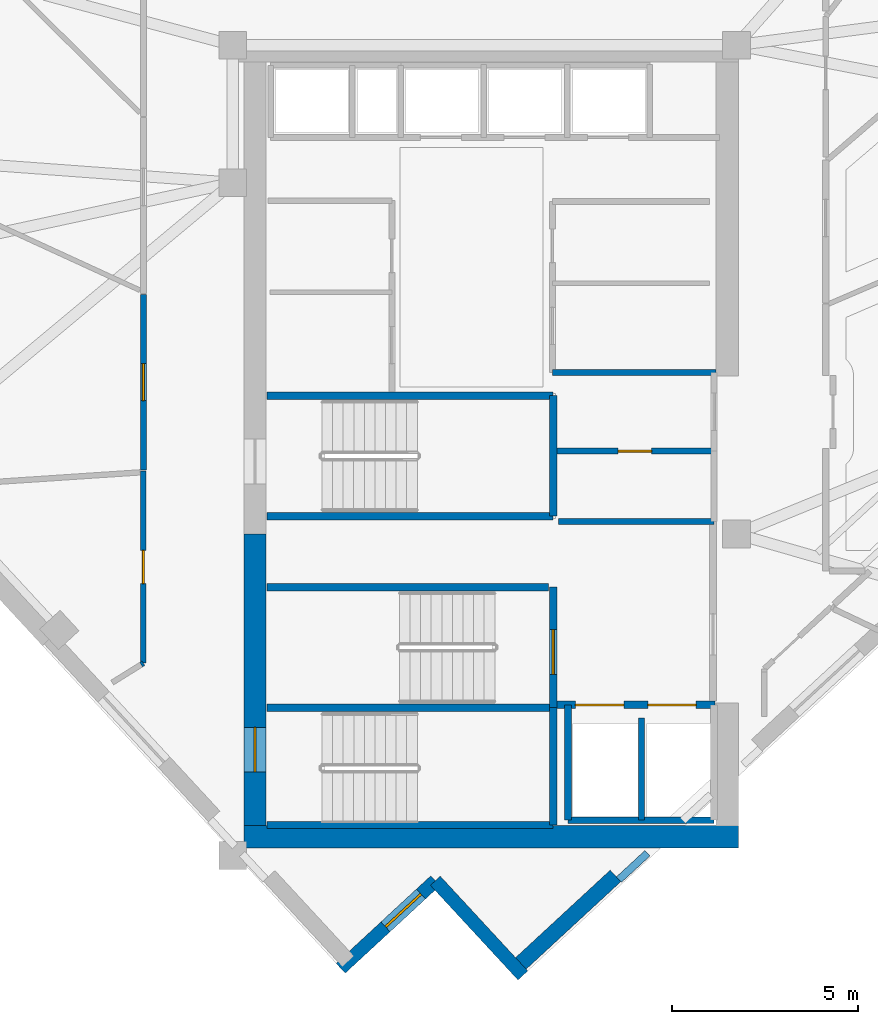
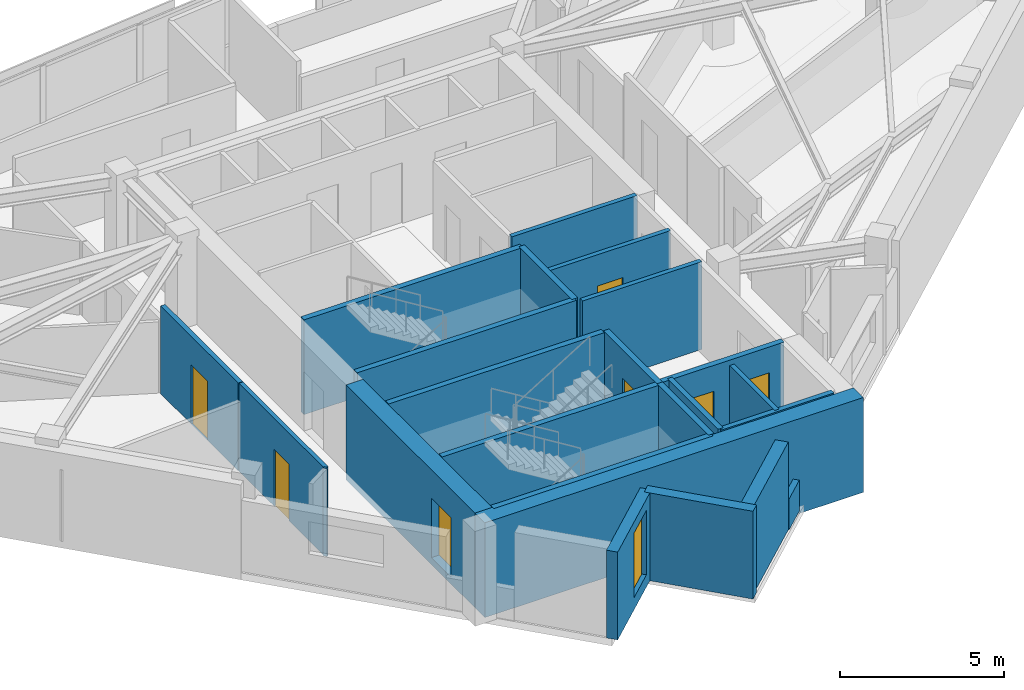
# One storey, part 8 of 13: 24 walls, 7 doors, 1 window, 8 openings.
"""IFC4 building model written with IfcOpenShell, lengths in metres."""

from ifc_helpers import new_model, si_unit, direction, frame, frame_2d, origin, place, context, subcontext, project, spatial, rectangle, extrude, material, layer, layer_set, type_object, element, fill, save


model = new_model("IFC4")

# Units and contexts
model_context = context("Model", 3, precision=1e-05, world=origin(), true_north=direction((0.0, 1.0)))
body_context = subcontext(model_context, "Body", "Model", "MODEL_VIEW")
ifc_project = project(units=[si_unit("LENGTHUNIT", "METRE"), si_unit("AREAUNIT", "SQUARE_METRE"), si_unit("VOLUMEUNIT", "CUBIC_METRE"), si_unit("PLANEANGLEUNIT", "RADIAN"), si_unit("MASSUNIT", "GRAM", prefix="KILO")], contexts=[model_context])

# Site, building, storey
site_placement = place(None, origin())
site = spatial("IfcSite", under=ifc_project, at=site_placement, CompositionType="ELEMENT")
building_placement = place(site_placement, origin())
building = spatial("IfcBuilding", under=site, at=building_placement, Name="Narakoshi Arena Tower", CompositionType="ELEMENT")
storey_placement = place(building_placement, frame((0.0, 0.0, 264.260009765625)))
storey = spatial("IfcBuildingStorey", under=building, at=storey_placement, Name="L72", CompositionType="ELEMENT", Elevation=264.260009765625)

# Wall, opening, door
ifc_material_1 = material(Name="Concrete C50/60", Category="concrete")
ifc_layer_1 = layer(ifc_material_1, 0.60009765625)
ifc_layer_set_1 = layer_set([ifc_layer_1], Name="Concrete C50/60")
wall_type_1 = type_object("IfcWallType", Name="WL-CORE-600", PredefinedType="SHEAR", material=ifc_layer_set_1)
wall_1_placement = place(storey_placement, frame((72.60009765625, 35.5, -0.260009765625), z_axis=(0.0, 0.0, 1.0), x_axis=(0.0, 1.0, 0.0)))
wall_1 = element("IfcWall", 1, at=wall_1_placement, inside=storey, type_object=wall_type_1, Name="L72 Central Core Shear Wall CW-APX-W", PredefinedType="SHEAR", context=body_context, shape_type="SweptSolid", body=[
    extrude(rectangle(XDim=7.85009765625, YDim=0.60009765625, at=frame_2d((3.925048828125, 0.0))), origin(), (0.0, 0.0, 1.0), 3.52001953125),
])
opening_1_placement = place(wall_1_placement, frame((1.449951171875, 0.0, 0.260009765625)))
opening_1 = element("IfcOpeningElement", 2, at=opening_1_placement, cuts=wall_1, Name="Opening D-03", PredefinedType="OPENING", context=body_context, shape_type="SweptSolid", body=[
    extrude(rectangle(XDim=1.199951171875, YDim=2.199951171875, at=frame_2d((0.60009765625, 1.10009765625))), frame((0.0, 0.31005859375, 0.0), z_axis=(0.0, -1.0, 0.0), x_axis=(1.0, 0.0, 0.0)), (0.0, 0.0, 1.0), 0.6201171875),
])
ifc_material_2 = material(Name="Painted galvanized steel", Category="steel")
door_type_1 = type_object("IfcDoorType", Name="DR-STR-1200", OperationType="NOTDEFINED", PredefinedType="USERDEFINED", material=ifc_material_2)
door_1_placement = place(opening_1_placement, frame((1.199951171875, 0.0, 0.0), z_axis=(0.0, 0.0, 1.0), x_axis=(-1.0, 0.0, 0.0)))
door_1 = element("IfcDoor", 3, at=door_1_placement, inside=storey, type_object=door_type_1, Name="DR-L72-001", ObjectType="EXITDOOR", OperationType="SINGLE_SWING_LEFT", OverallHeight=2.199951171875, OverallWidth=1.199951171875, PredefinedType="USERDEFINED", context=body_context, shape_type="SweptSolid", body=[
    extrude(rectangle(XDim=1.199951171875, YDim=2.199951171875, at=frame_2d((0.60009765625, 1.10009765625))), frame((0.0, 0.02490234375, 0.0), z_axis=(0.0, -1.0, 0.0), x_axis=(1.0, 0.0, 0.0)), (0.0, 0.0, 1.0), 0.050048828125),
])
fill(opening_1, door_1)

# Wall
wall_2_placement = place(storey_placement, frame((72.300048828125, 35.199951171875, -0.260009765625), z_axis=(0.0, 0.0, 1.0), x_axis=(1.0, 0.0, 0.0)))
element("IfcWall", 4, at=wall_2_placement, inside=storey, type_object=wall_type_1, Name="L72 Central Core Shear Wall CW-APX-S", PredefinedType="SHEAR", context=body_context, shape_type="SweptSolid", body=[
    extrude(rectangle(XDim=13.300048828125, YDim=0.60009765625, at=frame_2d((6.64990234375, 0.0))), origin(), (0.0, 0.0, 1.0), 3.52001953125),
])

# Wall, opening, door
ifc_material_3 = material(Name="Gypsum plasterboard fire-rated partition")
ifc_layer_2 = layer(ifc_material_3, 0.1650390625)
ifc_layer_set_2 = layer_set([ifc_layer_2], Name="Gypsum plasterboard fire-rated partition")
wall_type_2 = type_object("IfcWallType", Name="WL-CORR-165", PredefinedType="PARTITIONING", material=ifc_layer_set_2)
wall_3_placement = place(storey_placement, frame((69.594482421875, 49.798828125, 0.0), z_axis=(0.0, 0.0, 1.0), x_axis=(0.0, -1.0, 0.0)))
wall_3 = element("IfcWall", 5, at=wall_3_placement, inside=storey, type_object=wall_type_2, Name="L72 Corridor Partition 09-1", PredefinedType="PARTITIONING", context=body_context, shape_type="SweptSolid", body=[
    extrude(rectangle(XDim=4.7255859375, YDim=0.1650390625, at=frame_2d((2.36279296875, 0.0))), origin(), (0.0, 0.0, 1.0), 3.260009765625),
])
opening_2_placement = place(wall_3_placement, frame((1.86279296875, 0.0, 0.0)))
opening_2 = element("IfcOpeningElement", 6, at=opening_2_placement, cuts=wall_3, Name="Opening D-06", PredefinedType="OPENING", context=body_context, shape_type="SweptSolid", body=[
    extrude(rectangle(XDim=1.0, YDim=2.199951171875, at=frame_2d((0.5, 1.10009765625))), frame((0.0, 0.092529296875, 0.0), z_axis=(0.0, -1.0, 0.0), x_axis=(1.0, 0.0, 0.0)), (0.0, 0.0, 1.0), 0.18505859375),
])
ifc_material_4 = material(Name="Stained oak solid-core timber", Category="wood")
door_type_2 = type_object("IfcDoorType", Name="DR-OFF-1000", OperationType="NOTDEFINED", PredefinedType="DOOR", material=ifc_material_4)
door_2_placement = place(opening_2_placement, frame((1.0, 0.0, 0.0), z_axis=(0.0, 0.0, 1.0), x_axis=(-1.0, 0.0, 0.0)))
door_2 = element("IfcDoor", 7, at=door_2_placement, inside=storey, type_object=door_type_2, Name="DR-L72-024", OperationType="SINGLE_SWING_RIGHT", OverallHeight=2.199951171875, OverallWidth=1.0, PredefinedType="DOOR", context=body_context, shape_type="SweptSolid", body=[
    extrude(rectangle(XDim=1.0, YDim=2.199951171875, at=frame_2d((0.5, 1.10009765625))), frame((0.0, 0.02490234375, 0.0), z_axis=(0.0, -1.0, 0.0), x_axis=(1.0, 0.0, 0.0)), (0.0, 0.0, 1.0), 0.050048828125),
])
fill(opening_2, door_2)

# Walls
ifc_material_5 = material(Name="Precast concrete C45/55", Category="concrete")
ifc_layer_3 = layer(ifc_material_5, 0.25)
ifc_layer_set_3 = layer_set([ifc_layer_3], Name="Precast concrete C45/55")
wall_type_3 = type_object("IfcWallType", Name="WL-PARA-250", PredefinedType="PARAPET", material=ifc_layer_set_3)
wall_4_placement = place(storey_placement, frame((83.15625, 34.760009765625, 0.0), z_axis=(0.0, 0.0, 1.0), x_axis=(-0.734364355784, -0.678755473609, 0.0)))
element("IfcWall", 8, at=wall_4_placement, inside=storey, type_object=wall_type_3, Name="L72 Crown Sill Upstand Parapet 05", PredefinedType="PARAPET", context=body_context, shape_type="SweptSolid", body=[
    extrude(rectangle(XDim=1.044921875, YDim=0.199951171875, at=frame_2d((0.5224609375, 0.0))), origin(), (0.0, 0.0, 1.0), 1.14990234375),
])
ifc_layer_4 = layer(ifc_material_5, 0.419921875)
ifc_layer_set_4 = layer_set([ifc_layer_4], Name="Precast concrete C45/55")
wall_type_4 = type_object("IfcWallType", Name="WL-POD-420", PredefinedType="SOLIDWALL", material=ifc_layer_set_4)
wall_5_placement = place(storey_placement, frame((79.618896484375, 31.674072265625, 0.0), z_axis=(0.0, 0.0, 1.0), x_axis=(0.734338793707, 0.678783128884, 0.0)))
element("IfcWall", 9, at=wall_5_placement, inside=storey, type_object=wall_type_4, Name="L72 Architectural Concrete Facade Wall LEGA-1", PredefinedType="SOLIDWALL", context=body_context, shape_type="SweptSolid", body=[
    extrude(rectangle(XDim=3.6474609375, YDim=0.419921875, at=frame_2d((1.82373046875, 0.0))), origin(), (0.0, 0.0, 1.0), 3.260009765625),
])

# Wall, opening, window
wall_6_placement = place(storey_placement, frame((74.9033203125, 31.664794921875, 0.0), z_axis=(0.0, 0.0, 1.0), x_axis=(0.734325680362, 0.678797315228, 0.0)))
wall_6 = element("IfcWall", 10, at=wall_6_placement, inside=storey, type_object=wall_type_4, Name="L72 Re-Entrant Corner Notch Wall NTA-1", PredefinedType="SOLIDWALL", context=body_context, shape_type="SweptSolid", body=[
    extrude(rectangle(XDim=3.468994140625, YDim=0.360107421875, at=frame_2d((1.734375, 0.0))), origin(), (0.0, 0.0, 1.0), 3.260009765625),
])
opening_3_placement = place(wall_6_placement, frame((1.64306640625, 0.0, 0.449951171875)))
opening_3 = element("IfcOpeningElement", 11, at=opening_3_placement, cuts=wall_6, Name="Opening WN-06", PredefinedType="OPENING", context=body_context, shape_type="SweptSolid", body=[
    extrude(rectangle(XDim=1.300048828125, YDim=2.39990234375, at=frame_2d((0.64990234375, 1.199951171875))), frame((0.0, 0.18994140625, 0.0), z_axis=(0.0, -1.0, 0.0), x_axis=(1.0, 0.0, 0.0)), (0.0, 0.0, 1.0), 0.380126953125),
])
ifc_material_6 = material(Name="Bronze-tinted low-E laminated glass", Category="glass")
window_type = type_object("IfcWindowType", Name="WIN-NTC-16x24", PartitioningType="SINGLE_PANEL", PredefinedType="WINDOW", material=ifc_material_6)
window_placement = place(opening_3_placement, origin())
window = element("IfcWindow", 12, at=window_placement, inside=storey, type_object=window_type, Name="L72 Corner Notch Window NTA", OverallHeight=2.39990234375, OverallWidth=1.300048828125, PartitioningType="SINGLE_PANEL", PredefinedType="WINDOW", context=body_context, shape_type="SweptSolid", body=[
    extrude(rectangle(XDim=1.300048828125, YDim=2.39990234375, at=frame_2d((0.64990234375, 1.199951171875))), frame((0.0, 0.030029296875, 0.0), z_axis=(0.0, -1.0, 0.0), x_axis=(1.0, 0.0, 0.0)), (0.0, 0.0, 1.0), 0.06005859375),
])
fill(opening_3, window)

# Walls
wall_7_placement = place(storey_placement, frame((77.45068359375, 34.01953125, 0.0), z_axis=(0.0, 0.0, 1.0), x_axis=(0.678835262818, -0.734290600481, 0.0)))
element("IfcWall", 13, at=wall_7_placement, inside=storey, type_object=wall_type_4, Name="L72 Re-Entrant Corner Notch Wall NTA-2", PredefinedType="SOLIDWALL", context=body_context, shape_type="SweptSolid", body=[
    extrude(rectangle(XDim=3.46923828125, YDim=0.360107421875, at=frame_2d((1.734619140625, 0.0))), origin(), (0.0, 0.0, 1.0), 3.260009765625),
])
ifc_material_7 = material(Name="Concrete C40/50", Category="concrete")
ifc_layer_5 = layer(ifc_material_7, 0.280029296875)
ifc_layer_set_5 = layer_set([ifc_layer_5], Name="Concrete C40/50")
wall_type_5 = type_object("IfcWallType", Name="WL-RISER-280", PredefinedType="PLUMBINGWALL", material=ifc_layer_set_5)
wall_8_placement = place(storey_placement, frame((83.0, 35.64990234375, 0.0), z_axis=(0.0, 0.0, 1.0), x_axis=(0.0, 1.0, 0.0)))
element("IfcWall", 14, at=wall_8_placement, inside=storey, type_object=wall_type_5, Name="L72 Core Wall FF-DIV", PredefinedType="PLUMBINGWALL", context=body_context, shape_type="SweptSolid", body=[
    extrude(rectangle(XDim=2.75, YDim=0.159912109375, at=frame_2d((1.375, 0.0))), origin(), (0.0, 0.0, 1.0), 3.260009765625),
])

# Wall, opening, door
wall_9_placement = place(storey_placement, frame((80.719970703125, 45.580078125, 0.0), z_axis=(0.0, 0.0, 1.0), x_axis=(1.0, 0.0, 0.0)))
wall_9 = element("IfcWall", 15, at=wall_9_placement, inside=storey, type_object=wall_type_5, Name="L72 Core Wall RSR-N", PredefinedType="PLUMBINGWALL", context=body_context, shape_type="SweptSolid", body=[
    extrude(rectangle(XDim=4.22998046875, YDim=0.159912109375, at=frame_2d((2.114990234375, 0.0))), origin(), (0.0, 0.0, 1.0), 3.260009765625),
])
opening_4_placement = place(wall_9_placement, frame((1.64990234375, 0.0, 0.0)))
opening_4 = element("IfcOpeningElement", 16, at=opening_4_placement, cuts=wall_9, Name="Opening D-08", PredefinedType="OPENING", context=body_context, shape_type="SweptSolid", body=[
    extrude(rectangle(XDim=0.89990234375, YDim=2.10009765625, at=frame_2d((0.449951171875, 1.050048828125))), frame((0.0, 0.08984375, 0.0), z_axis=(0.0, -1.0, 0.0), x_axis=(1.0, 0.0, 0.0)), (0.0, 0.0, 1.0), 0.179931640625),
])
ifc_material_8 = material(Name="Moisture-resistant laminate timber", Category="wood")
door_type_3 = type_object("IfcDoorType", Name="DR-WC-900", OperationType="NOTDEFINED", PredefinedType="DOOR", material=ifc_material_8)
door_3_placement = place(opening_4_placement, frame((0.89990234375, 0.0, 0.0), z_axis=(0.0, 0.0, 1.0), x_axis=(-1.0, 0.0, 0.0)))
door_3 = element("IfcDoor", 17, at=door_3_placement, inside=storey, type_object=door_type_3, Name="DR-L72-008", OperationType="SINGLE_SWING_LEFT", OverallHeight=2.10009765625, OverallWidth=0.89990234375, PredefinedType="DOOR", context=body_context, shape_type="SweptSolid", body=[
    extrude(rectangle(XDim=0.89990234375, YDim=2.10009765625, at=frame_2d((0.449951171875, 1.050048828125))), frame((0.0, 0.02490234375, 0.0), z_axis=(0.0, -1.0, 0.0), x_axis=(1.0, 0.0, 0.0)), (0.0, 0.0, 1.0), 0.050048828125),
])
fill(opening_4, door_3)

# Walls
wall_10_placement = place(storey_placement, frame((80.760009765625, 43.679931640625, 0.0), z_axis=(0.0, 0.0, 1.0), x_axis=(1.0, 0.0, 0.0)))
element("IfcWall", 18, at=wall_10_placement, inside=storey, type_object=wall_type_5, Name="L72 Core Wall RSR-S", PredefinedType="PLUMBINGWALL", context=body_context, shape_type="SweptSolid", body=[
    extrude(rectangle(XDim=4.18994140625, YDim=0.159912109375, at=frame_2d((2.094970703125, 0.0))), origin(), (0.0, 0.0, 1.0), 3.260009765625),
])
ifc_layer_6 = layer(ifc_material_1, 0.35009765625)
ifc_layer_set_6 = layer_set([ifc_layer_6], Name="Concrete C50/60")
wall_type_6 = type_object("IfcWallType", Name="WL-SHAFT-350", PredefinedType="SOLIDWALL", material=ifc_layer_set_6)
for number, where, z_axis, x_axis, name in (
    (19, (72.919921875, 35.52001953125, -0.260009765625), (0.0, 0.0, 1.0), (1.0, 0.0, 0.0), "L72 Core Wall ST1-S"),
    (20, (72.919921875, 38.675048828125, -0.260009765625), (0.0, 0.0, 1.0), (1.0, 0.0, 0.0), "L72 Core Wall ST12-DIV"),
):
    element("IfcWall", number, at=place(storey_placement, frame(where, z_axis=z_axis, x_axis=x_axis)), inside=storey, type_object=wall_type_6, Name=name, PredefinedType="SOLIDWALL", context=body_context, shape_type="SweptSolid", body=[
        extrude(rectangle(XDim=7.7001953125, YDim=0.199951171875, at=frame_2d((3.85009765625, 0.0))), origin(), (0.0, 0.0, 1.0), 3.52001953125),
    ])
wall_11_placement = place(storey_placement, frame((80.6201171875, 35.52001953125, -0.260009765625), z_axis=(0.0, 0.0, 1.0), x_axis=(0.0, 1.0, 0.0)))
element("IfcWall", 21, at=wall_11_placement, inside=storey, type_object=wall_type_6, Name="L72 Core Wall ST1-E", PredefinedType="SOLIDWALL", context=body_context, shape_type="SweptSolid", body=[
    extrude(rectangle(XDim=3.155029296875, YDim=0.199951171875, at=frame_2d((1.57763671875, 0.0))), origin(), (0.0, 0.0, 1.0), 3.52001953125),
])

# Wall, opening, door
wall_12_placement = place(storey_placement, frame((80.6201171875, 38.675048828125, -0.260009765625), z_axis=(0.0, 0.0, 1.0), x_axis=(0.0, 1.0, 0.0)))
wall_12 = element("IfcWall", 22, at=wall_12_placement, inside=storey, type_object=wall_type_6, Name="L72 Core Wall ST2-E", PredefinedType="SOLIDWALL", context=body_context, shape_type="SweptSolid", body=[
    extrude(rectangle(XDim=3.244873046875, YDim=0.199951171875, at=frame_2d((1.62255859375, 0.0))), origin(), (0.0, 0.0, 1.0), 3.52001953125),
])
opening_5_placement = place(wall_12_placement, frame((0.89990234375, 0.0, 0.260009765625)))
opening_5 = element("IfcOpeningElement", 23, at=opening_5_placement, cuts=wall_12, Name="Opening D-03", PredefinedType="OPENING", context=body_context, shape_type="SweptSolid", body=[
    extrude(rectangle(XDim=1.199951171875, YDim=2.199951171875, at=frame_2d((0.60009765625, 1.10009765625))), frame((0.0, 0.10986328125, 0.0), z_axis=(0.0, -1.0, 0.0), x_axis=(1.0, 0.0, 0.0)), (0.0, 0.0, 1.0), 0.219970703125),
])
door_4_placement = place(opening_5_placement, origin())
door_4 = element("IfcDoor", 24, at=door_4_placement, inside=storey, type_object=door_type_1, Name="DR-L72-002", ObjectType="EXITDOOR", OperationType="SINGLE_SWING_RIGHT", OverallHeight=2.199951171875, OverallWidth=1.199951171875, PredefinedType="USERDEFINED", context=body_context, shape_type="SweptSolid", body=[
    extrude(rectangle(XDim=1.199951171875, YDim=2.199951171875, at=frame_2d((0.60009765625, 1.10009765625))), frame((0.0, 0.02490234375, 0.0), z_axis=(0.0, -1.0, 0.0), x_axis=(1.0, 0.0, 0.0)), (0.0, 0.0, 1.0), 0.050048828125),
])
fill(opening_5, door_4)

# Wall, openings, doors
wall_13_placement = place(storey_placement, frame((80.719970703125, 38.75, 0.0), z_axis=(0.0, 0.0, 1.0), x_axis=(1.0, 0.0, 0.0)))
wall_13 = element("IfcWall", 25, at=wall_13_placement, inside=storey, type_object=wall_type_6, Name="L72 Core Wall FF-N", PredefinedType="SOLIDWALL", context=body_context, shape_type="SweptSolid", body=[
    extrude(rectangle(XDim=4.260009765625, YDim=0.199951171875, at=frame_2d((2.1298828125, 0.0))), origin(), (0.0, 0.0, 1.0), 3.260009765625),
])
opening_6_placement = place(wall_13_placement, frame((0.5, 0.0, 0.0)))
opening_6 = element("IfcOpeningElement", 26, at=opening_6_placement, cuts=wall_13, Name="Opening LD-02", PredefinedType="OPENING", context=body_context, shape_type="SweptSolid", body=[
    extrude(rectangle(XDim=1.300048828125, YDim=2.300048828125, at=frame_2d((0.64990234375, 1.14990234375))), frame((0.0, 0.10986328125, 0.0), z_axis=(0.0, -1.0, 0.0), x_axis=(1.0, 0.0, 0.0)), (0.0, 0.0, 1.0), 0.219970703125),
])
opening_7_placement = place(wall_13_placement, frame((2.449951171875, 0.0, 0.0)))
opening_7 = element("IfcOpeningElement", 27, at=opening_7_placement, cuts=wall_13, Name="Opening LD-02", PredefinedType="OPENING", context=body_context, shape_type="SweptSolid", body=[
    extrude(rectangle(XDim=1.300048828125, YDim=2.300048828125, at=frame_2d((0.64990234375, 1.14990234375))), frame((0.0, 0.10986328125, 0.0), z_axis=(0.0, -1.0, 0.0), x_axis=(1.0, 0.0, 0.0)), (0.0, 0.0, 1.0), 0.219970703125),
])
ifc_material_9 = material(Name="Brushed bronze stainless steel", Category="steel")
door_type_4 = type_object("IfcDoorType", Name="DR-LFT-1300", OperationType="DOUBLE_DOOR_SLIDING", PredefinedType="DOOR", material=ifc_material_9)
door_5_placement = place(opening_6_placement, origin())
door_5 = element("IfcDoor", 28, at=door_5_placement, inside=storey, type_object=door_type_4, Name="DR-L72-003", OperationType="DOUBLE_DOOR_SLIDING", OverallHeight=2.300048828125, OverallWidth=1.300048828125, PredefinedType="DOOR", context=body_context, shape_type="SweptSolid", body=[
    extrude(rectangle(XDim=1.300048828125, YDim=2.300048828125, at=frame_2d((0.64990234375, 1.14990234375))), frame((0.0, 0.02490234375, 0.0), z_axis=(0.0, -1.0, 0.0), x_axis=(1.0, 0.0, 0.0)), (0.0, 0.0, 1.0), 0.050048828125),
])
fill(opening_6, door_5)
door_6_placement = place(opening_7_placement, origin())
door_6 = element("IfcDoor", 29, at=door_6_placement, inside=storey, type_object=door_type_4, Name="DR-L72-004", OperationType="DOUBLE_DOOR_SLIDING", OverallHeight=2.300048828125, OverallWidth=1.300048828125, PredefinedType="DOOR", context=body_context, shape_type="SweptSolid", body=[
    extrude(rectangle(XDim=1.300048828125, YDim=2.300048828125, at=frame_2d((0.64990234375, 1.14990234375))), frame((0.0, 0.02490234375, 0.0), z_axis=(0.0, -1.0, 0.0), x_axis=(1.0, 0.0, 0.0)), (0.0, 0.0, 1.0), 0.050048828125),
])
fill(opening_7, door_6)

# Walls
wall_14_placement = place(storey_placement, frame((81.02001953125, 35.64990234375, 0.0), z_axis=(0.0, 0.0, 1.0), x_axis=(0.0, 1.0, 0.0)))
element("IfcWall", 30, at=wall_14_placement, inside=storey, type_object=wall_type_6, Name="L72 Core Wall FF-W", PredefinedType="SOLIDWALL", context=body_context, shape_type="SweptSolid", body=[
    extrude(rectangle(XDim=3.10009765625, YDim=0.179931640625, at=frame_2d((1.550048828125, 0.0))), origin(), (0.0, 0.0, 1.0), 3.260009765625),
])
wall_15_placement = place(storey_placement, frame((81.02001953125, 35.64990234375, 0.0), z_axis=(0.0, 0.0, 1.0), x_axis=(1.0, 0.0, 0.0)))
element("IfcWall", 31, at=wall_15_placement, inside=storey, type_object=wall_type_6, Name="L72 Core Wall FF-S", PredefinedType="SOLIDWALL", context=body_context, shape_type="SweptSolid", body=[
    extrude(rectangle(XDim=3.929931640625, YDim=0.179931640625, at=frame_2d((1.96484375, 0.0))), origin(), (0.0, 0.0, 1.0), 3.260009765625),
])
wall_16_placement = place(storey_placement, frame((72.919921875, 41.919921875, -0.260009765625), z_axis=(0.0, 0.0, 1.0), x_axis=(1.0, 0.0, 0.0)))
element("IfcWall", 32, at=wall_16_placement, inside=storey, type_object=wall_type_6, Name="L72 Core Wall ST2-N", PredefinedType="SOLIDWALL", context=body_context, shape_type="SweptSolid", body=[
    extrude(rectangle(XDim=7.580078125, YDim=0.199951171875, at=frame_2d((3.7900390625, 0.0))), origin(), (0.0, 0.0, 1.0), 3.52001953125),
])
for number, where, z_axis, x_axis, name in (
    (33, (72.919921875, 43.830078125, -0.260009765625), (0.0, 0.0, 1.0), (1.0, 0.0, 0.0), "L72 Core Wall ST3-S"),
    (34, (72.919921875, 47.070068359375, -0.260009765625), (0.0, 0.0, 1.0), (1.0, 0.0, 0.0), "L72 Core Wall ST3-N"),
):
    element("IfcWall", number, at=place(storey_placement, frame(where, z_axis=z_axis, x_axis=x_axis)), inside=storey, type_object=wall_type_6, Name=name, PredefinedType="SOLIDWALL", context=body_context, shape_type="SweptSolid", body=[
        extrude(rectangle(XDim=7.7001953125, YDim=0.199951171875, at=frame_2d((3.85009765625, 0.0))), origin(), (0.0, 0.0, 1.0), 3.52001953125),
    ])
wall_17_placement = place(storey_placement, frame((80.6201171875, 43.830078125, -0.260009765625), z_axis=(0.0, 0.0, 1.0), x_axis=(0.0, 1.0, 0.0)))
element("IfcWall", 35, at=wall_17_placement, inside=storey, type_object=wall_type_6, Name="L72 Core Wall ST3-E", PredefinedType="SOLIDWALL", context=body_context, shape_type="SweptSolid", body=[
    extrude(rectangle(XDim=3.239990234375, YDim=0.199951171875, at=frame_2d((1.6201171875, 0.0))), origin(), (0.0, 0.0, 1.0), 3.52001953125),
])
wall_18_placement = place(storey_placement, frame((80.60009765625, 47.699951171875, 0.0), z_axis=(0.0, 0.0, 1.0), x_axis=(1.0, 0.0, 0.0)))
element("IfcWall", 36, at=wall_18_placement, inside=storey, type_object=wall_type_6, Name="L72 Core Wall MR-S", PredefinedType="SOLIDWALL", context=body_context, shape_type="SweptSolid", body=[
    extrude(rectangle(XDim=4.39990234375, YDim=0.159912109375, at=frame_2d((2.199951171875, 0.0))), origin(), (0.0, 0.0, 1.0), 3.260009765625),
])

# Wall, opening, door
ifc_material_10 = material(Name="Moisture-resistant cement-board partition")
ifc_layer_7 = layer(ifc_material_10, 0.14501953125)
ifc_layer_set_7 = layer_set([ifc_layer_7], Name="Moisture-resistant cement-board partition")
wall_type_7 = type_object("IfcWallType", Name="WL-WET-145", PredefinedType="PARTITIONING", material=ifc_layer_set_7)
wall_19_placement = place(storey_placement, frame((69.594482421875, 45.049072265625, 0.0), z_axis=(0.0, 0.0, 1.0), x_axis=(0.0, -1.0, 0.0)))
wall_19 = element("IfcWall", 37, at=wall_19_placement, inside=storey, type_object=wall_type_7, Name="L72 Corridor Partition 01-1", PredefinedType="PARTITIONING", context=body_context, shape_type="SweptSolid", body=[
    extrude(rectangle(XDim=5.176025390625, YDim=0.14501953125, at=frame_2d((2.587890625, 0.0))), origin(), (0.0, 0.0, 1.0), 3.260009765625),
])
opening_8_placement = place(wall_19_placement, frame((2.137939453125, 0.0, 0.0)))
opening_8 = element("IfcOpeningElement", 38, at=opening_8_placement, cuts=wall_19, Name="Opening D-08", PredefinedType="OPENING", context=body_context, shape_type="SweptSolid", body=[
    extrude(rectangle(XDim=0.89990234375, YDim=2.10009765625, at=frame_2d((0.449951171875, 1.050048828125))), frame((0.0, 0.08251953125, 0.0), z_axis=(0.0, -1.0, 0.0), x_axis=(1.0, 0.0, 0.0)), (0.0, 0.0, 1.0), 0.1650390625),
])
door_7_placement = place(opening_8_placement, frame((0.89990234375, 0.0, 0.0), z_axis=(0.0, 0.0, 1.0), x_axis=(-1.0, 0.0, 0.0)))
door_7 = element("IfcDoor", 39, at=door_7_placement, inside=storey, type_object=door_type_3, Name="DR-L72-016", OperationType="SINGLE_SWING_RIGHT", OverallHeight=2.10009765625, OverallWidth=0.89990234375, PredefinedType="DOOR", context=body_context, shape_type="SweptSolid", body=[
    extrude(rectangle(XDim=0.89990234375, YDim=2.10009765625, at=frame_2d((0.449951171875, 1.050048828125))), frame((0.0, 0.02490234375, 0.0), z_axis=(0.0, -1.0, 0.0), x_axis=(1.0, 0.0, 0.0)), (0.0, 0.0, 1.0), 0.050048828125),
])
fill(opening_8, door_7)

# Wall
wall_20_placement = place(storey_placement, frame((69.594482421875, 39.873046875, 0.0), z_axis=(0.0, 0.0, 1.0), x_axis=(-0.848192741916, -0.529687712299, 0.0)))
element("IfcWall", 40, at=wall_20_placement, inside=storey, type_object=wall_type_7, Name="L72 Corridor Partition 01-2", PredefinedType="PARTITIONING", context=body_context, shape_type="SweptSolid", body=[
    extrude(rectangle(XDim=0.070556640625, YDim=0.14501953125, at=frame_2d((0.03515625, 0.0))), origin(), (0.0, 0.0, 1.0), 3.260009765625),
])

save(model, "model.ifc")
